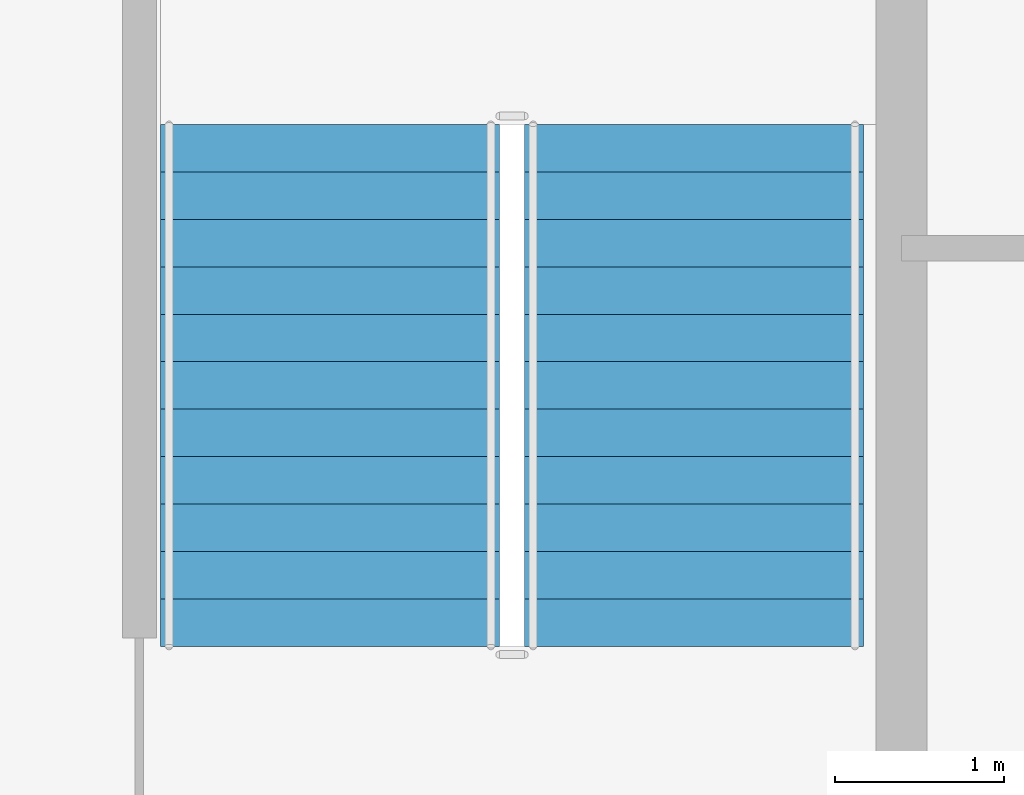
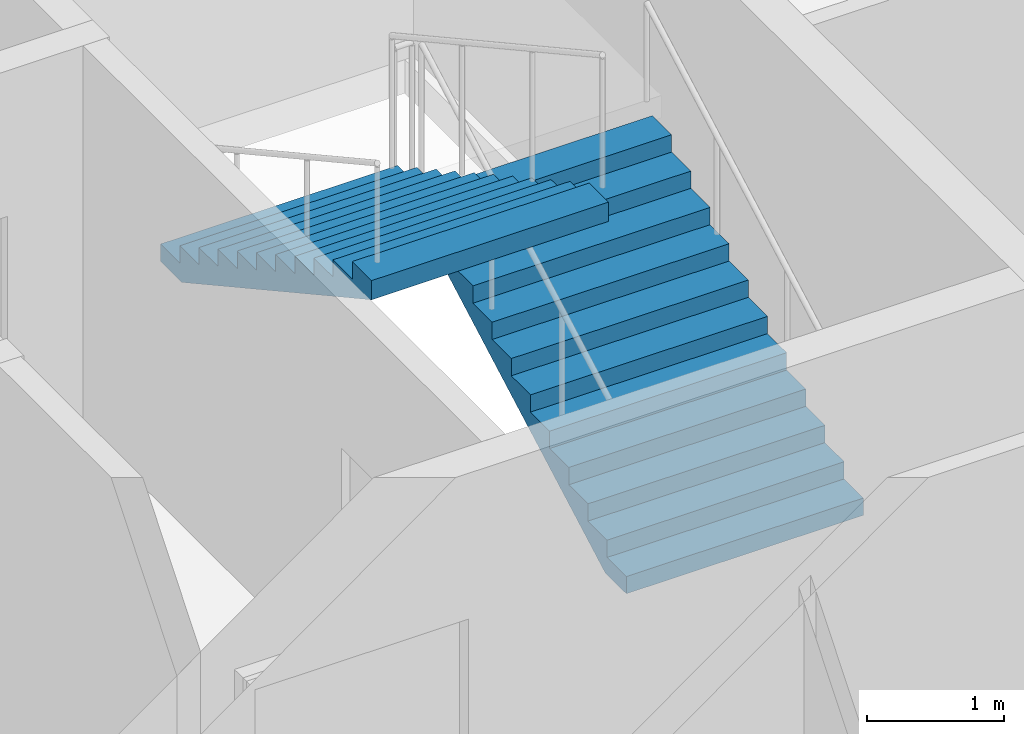
# One storey, part 11 of 13: 2 stair flights, 1 element without a shape of its own.
"""IFC4 building model written with IfcOpenShell, lengths in metres."""

from ifc_helpers import new_model, si_unit, direction, frame, origin, place, context, subcontext, project, spatial, polygons, material, type_object, element, aggregate, save


model = new_model("IFC4")

# Units and contexts
model_context = context("Model", 3, precision=1e-05, world=origin(), true_north=direction((0.0, 1.0)))
body_context = subcontext(model_context, "Body", "Model", "MODEL_VIEW")
ifc_project = project(units=[si_unit("LENGTHUNIT", "METRE"), si_unit("AREAUNIT", "SQUARE_METRE"), si_unit("VOLUMEUNIT", "CUBIC_METRE"), si_unit("PLANEANGLEUNIT", "RADIAN"), si_unit("MASSUNIT", "GRAM", prefix="KILO")], contexts=[model_context])

# Site, building, storey
site_placement = place(None, origin())
site = spatial("IfcSite", under=ifc_project, at=site_placement, CompositionType="ELEMENT")
building_placement = place(site_placement, origin())
building = spatial("IfcBuilding", under=site, at=building_placement, Name="Caravel Reach Hotel and Residences", CompositionType="ELEMENT")
storey_placement = place(building_placement, frame((0.0, 0.0, 158.0)))
storey = spatial("IfcBuildingStorey", under=building, at=storey_placement, Name="L39", CompositionType="ELEMENT", Elevation=158.0)

# Stair, stair flights
ifc_material_1 = material(Name="Concrete C40", Category="concrete")
stair_type = type_object("IfcStairType", Name="Core stair", PredefinedType="HALF_TURN_STAIR", material=ifc_material_1)
stair_placement = place(storey_placement, origin())
stair = element("IfcStair", 1, at=stair_placement, inside=storey, type_object=stair_type, Name="L39 Exit stair B", PredefinedType="HALF_TURN_STAIR")
ifc_material_2 = material(Name="Concrete C40", Category="concrete")
stair_flight_type = type_object("IfcStairFlightType", Name="Core stair flight", PredefinedType="STRAIGHT", material=ifc_material_2)
stair_flight_1_placement = place(storey_placement, frame((43.77490234375, 24.64990234375, 0.0), z_axis=(0.0, 0.0, 1.0), x_axis=(0.0, 1.0, 0.0)))
stair_flight_1 = element("IfcStairFlight", 2, at=stair_flight_1_placement, type_object=stair_flight_type, Name="ST-B flight 1", NumberOfRisers=12, NumberOfTreads=11, PredefinedType="STRAIGHT", RiserHeight=0.154166667, TreadLength=0.28, context=body_context, shape_type="Tessellation", body=[
    polygons([(0.3107950034306102, 1.0, 0.0), (0.3107950034306102, 0.6666666666666667, 0.0), (0.3107950034306102, 0.33333333333333337, 0.0), (0.3107950034306102, 0.0, 0.0), (0.3107950034306102, -0.33333333333333326, 0.0), (0.3107950034306102, -0.6666666666666667, 0.0), (0.3107950034306102, -1.0, 0.0), (3.081, 1.0, 1.524711087717319), (3.081, 0.6666666666666667, 1.524711087717319), (3.081, 0.33333333333333337, 1.524711087717319), (3.081, 0.0, 1.524711087717319), (3.081, -0.33333333333333326, 1.524711087717319), (3.081, -0.6666666666666667, 1.524711087717319), (3.081, -1.0, 1.524711087717319), (3.081, 1.0, 1.695833337), (3.081, 0.6666666666666667, 1.695833337), (3.081, 0.33333333333333337, 1.695833337), (3.081, 0.0, 1.695833337), (3.081, -0.33333333333333326, 1.695833337), (3.081, -0.6666666666666667, 1.695833337), (3.081, -1.0, 1.695833337), (2.8000000000000003, 1.0, 1.695833337), (2.8000000000000003, 0.6666666666666667, 1.695833337), (2.8000000000000003, 0.33333333333333337, 1.695833337), (2.8000000000000003, 0.0, 1.695833337), (2.8000000000000003, -0.33333333333333326, 1.695833337), (2.8000000000000003, -0.6666666666666667, 1.695833337), (2.8000000000000003, -1.0, 1.695833337), (2.8000000000000003, 1.0, 1.5416666700000001), (2.8000000000000003, 0.6666666666666667, 1.5416666700000001), (2.8000000000000003, 0.33333333333333337, 1.5416666700000001), (2.8000000000000003, 0.0, 1.5416666700000001), (2.8000000000000003, -0.33333333333333326, 1.5416666700000001), (2.8000000000000003, -0.6666666666666667, 1.5416666700000001), (2.8000000000000003, -1.0, 1.5416666700000001), (2.5200000000000005, 1.0, 1.5416666700000001), (2.5200000000000005, 0.6666666666666667, 1.5416666700000001), (2.5200000000000005, 0.33333333333333337, 1.5416666700000001), (2.5200000000000005, 0.0, 1.5416666700000001), (2.5200000000000005, -0.33333333333333326, 1.5416666700000001), (2.5200000000000005, -0.6666666666666667, 1.5416666700000001), (2.5200000000000005, -1.0, 1.5416666700000001), (2.5200000000000005, 1.0, 1.387500003), (2.5200000000000005, 0.6666666666666667, 1.387500003), (2.5200000000000005, 0.33333333333333337, 1.387500003), (2.5200000000000005, 0.0, 1.387500003), (2.5200000000000005, -0.33333333333333326, 1.387500003), (2.5200000000000005, -0.6666666666666667, 1.387500003), (2.5200000000000005, -1.0, 1.387500003), (2.24, 1.0, 1.387500003), (2.24, 0.6666666666666667, 1.387500003), (2.24, 0.33333333333333337, 1.387500003), (2.24, 0.0, 1.387500003), (2.24, -0.33333333333333326, 1.387500003), (2.24, -0.6666666666666667, 1.387500003), (2.24, -1.0, 1.387500003), (2.24, 1.0, 1.233333336), (2.24, 0.6666666666666667, 1.233333336), (2.24, 0.33333333333333337, 1.233333336), (2.24, 0.0, 1.233333336), (2.24, -0.33333333333333326, 1.233333336), (2.24, -0.6666666666666667, 1.233333336), (2.24, -1.0, 1.233333336), (1.9600000000000002, 1.0, 1.233333336), (1.9600000000000002, 0.6666666666666667, 1.233333336), (1.9600000000000002, 0.33333333333333337, 1.233333336), (1.9600000000000002, 0.0, 1.233333336), (1.9600000000000002, -0.33333333333333326, 1.233333336), (1.9600000000000002, -0.6666666666666667, 1.233333336), (1.9600000000000002, -1.0, 1.233333336), (1.9600000000000002, 1.0, 1.0791666690000001), (1.9600000000000002, 0.6666666666666667, 1.0791666690000001), (1.9600000000000002, 0.33333333333333337, 1.0791666690000001), (1.9600000000000002, 0.0, 1.0791666690000001), (1.9600000000000002, -0.33333333333333326, 1.0791666690000001), (1.9600000000000002, -0.6666666666666667, 1.0791666690000001), (1.9600000000000002, -1.0, 1.0791666690000001), (1.6800000000000002, 1.0, 1.0791666690000001), (1.6800000000000002, 0.6666666666666667, 1.0791666690000001), (1.6800000000000002, 0.33333333333333337, 1.0791666690000001), (1.6800000000000002, 0.0, 1.0791666690000001), (1.6800000000000002, -0.33333333333333326, 1.0791666690000001), (1.6800000000000002, -0.6666666666666667, 1.0791666690000001), (1.6800000000000002, -1.0, 1.0791666690000001), (1.6800000000000002, 1.0, 0.925000002), (1.6800000000000002, 0.6666666666666667, 0.925000002), (1.6800000000000002, 0.33333333333333337, 0.925000002), (1.6800000000000002, 0.0, 0.925000002), (1.6800000000000002, -0.33333333333333326, 0.925000002), (1.6800000000000002, -0.6666666666666667, 0.925000002), (1.6800000000000002, -1.0, 0.925000002), (1.4000000000000001, 1.0, 0.925000002), (1.4000000000000001, 0.6666666666666667, 0.925000002), (1.4000000000000001, 0.33333333333333337, 0.925000002), (1.4000000000000001, 0.0, 0.925000002), (1.4000000000000001, -0.33333333333333326, 0.925000002), (1.4000000000000001, -0.6666666666666667, 0.925000002), (1.4000000000000001, -1.0, 0.925000002), (1.4000000000000001, 1.0, 0.7708333350000001), (1.4000000000000001, 0.6666666666666667, 0.7708333350000001), (1.4000000000000001, 0.33333333333333337, 0.7708333350000001), (1.4000000000000001, 0.0, 0.7708333350000001), (1.4000000000000001, -0.33333333333333326, 0.7708333350000001), (1.4000000000000001, -0.6666666666666667, 0.7708333350000001), (1.4000000000000001, -1.0, 0.7708333350000001), (1.12, 1.0, 0.7708333350000001), (1.12, 0.6666666666666667, 0.7708333350000001), (1.12, 0.33333333333333337, 0.7708333350000001), (1.12, 0.0, 0.7708333350000001), (1.12, -0.33333333333333326, 0.7708333350000001), (1.12, -0.6666666666666667, 0.7708333350000001), (1.12, -1.0, 0.7708333350000001), (1.12, 1.0, 0.616666668), (1.12, 0.6666666666666667, 0.616666668), (1.12, 0.33333333333333337, 0.616666668), (1.12, 0.0, 0.616666668), (1.12, -0.33333333333333326, 0.616666668), (1.12, -0.6666666666666667, 0.616666668), (1.12, -1.0, 0.616666668), (0.8400000000000001, 1.0, 0.616666668), (0.8400000000000001, 0.6666666666666667, 0.616666668), (0.8400000000000001, 0.33333333333333337, 0.616666668), (0.8400000000000001, 0.0, 0.616666668), (0.8400000000000001, -0.33333333333333326, 0.616666668), (0.8400000000000001, -0.6666666666666667, 0.616666668), (0.8400000000000001, -1.0, 0.616666668), (0.8400000000000001, 1.0, 0.462500001), (0.8400000000000001, 0.6666666666666667, 0.462500001), (0.8400000000000001, 0.33333333333333337, 0.462500001), (0.8400000000000001, 0.0, 0.462500001), (0.8400000000000001, -0.33333333333333326, 0.462500001), (0.8400000000000001, -0.6666666666666667, 0.462500001), (0.8400000000000001, -1.0, 0.462500001), (0.56, 1.0, 0.462500001), (0.56, 0.6666666666666667, 0.462500001), (0.56, 0.33333333333333337, 0.462500001), (0.56, 0.0, 0.462500001), (0.56, -0.33333333333333326, 0.462500001), (0.56, -0.6666666666666667, 0.462500001), (0.56, -1.0, 0.462500001), (0.56, 1.0, 0.308333334), (0.56, 0.6666666666666667, 0.308333334), (0.56, 0.33333333333333337, 0.308333334), (0.56, 0.0, 0.308333334), (0.56, -0.33333333333333326, 0.308333334), (0.56, -0.6666666666666667, 0.308333334), (0.56, -1.0, 0.308333334), (0.28, 1.0, 0.308333334), (0.28, 0.6666666666666667, 0.308333334), (0.28, 0.33333333333333337, 0.308333334), (0.28, 0.0, 0.308333334), (0.28, -0.33333333333333326, 0.308333334), (0.28, -0.6666666666666667, 0.308333334), (0.28, -1.0, 0.308333334), (0.28, 1.0, 0.154166667), (0.28, 0.6666666666666667, 0.154166667), (0.28, 0.33333333333333337, 0.154166667), (0.28, 0.0, 0.154166667), (0.28, -0.33333333333333326, 0.154166667), (0.28, -0.6666666666666667, 0.154166667), (0.28, -1.0, 0.154166667), (-0.001, 1.0, 0.154166667), (-0.001, 0.6666666666666667, 0.154166667), (-0.001, 0.33333333333333337, 0.154166667), (-0.001, 0.0, 0.154166667), (-0.001, -0.33333333333333326, 0.154166667), (-0.001, -0.6666666666666667, 0.154166667), (-0.001, -1.0, 0.154166667), (-0.001, 1.0, 0.0), (-0.001, 0.6666666666666667, 0.0), (-0.001, 0.33333333333333337, 0.0), (-0.001, 0.0, 0.0), (-0.001, -0.33333333333333326, 0.0), (-0.001, -0.6666666666666667, 0.0), (-0.001, -1.0, 0.0)], [[[169, 162, 155, 148, 141, 134, 127, 120, 113, 106, 99, 92, 85, 78, 71, 64, 57, 50, 43, 36, 29, 22, 15, 8, 1]], [[7, 14, 21, 28, 35, 42, 49, 56, 63, 70, 77, 84, 91, 98, 105, 112, 119, 126, 133, 140, 147, 154, 161, 168, 175]], [[1, 8, 9, 2]], [[2, 9, 10, 3]], [[3, 10, 11, 4]], [[4, 11, 12, 5]], [[5, 12, 13, 6]], [[6, 13, 14, 7]], [[8, 15, 16, 9]], [[9, 16, 17, 10]], [[10, 17, 18, 11]], [[11, 18, 19, 12]], [[12, 19, 20, 13]], [[13, 20, 21, 14]], [[15, 22, 23, 16]], [[16, 23, 24, 17]], [[17, 24, 25, 18]], [[18, 25, 26, 19]], [[19, 26, 27, 20]], [[20, 27, 28, 21]], [[22, 29, 30, 23]], [[23, 30, 31, 24]], [[24, 31, 32, 25]], [[25, 32, 33, 26]], [[26, 33, 34, 27]], [[27, 34, 35, 28]], [[29, 36, 37, 30]], [[30, 37, 38, 31]], [[31, 38, 39, 32]], [[32, 39, 40, 33]], [[33, 40, 41, 34]], [[34, 41, 42, 35]], [[36, 43, 44, 37]], [[37, 44, 45, 38]], [[38, 45, 46, 39]], [[39, 46, 47, 40]], [[40, 47, 48, 41]], [[41, 48, 49, 42]], [[43, 50, 51, 44]], [[44, 51, 52, 45]], [[45, 52, 53, 46]], [[46, 53, 54, 47]], [[47, 54, 55, 48]], [[48, 55, 56, 49]], [[50, 57, 58, 51]], [[51, 58, 59, 52]], [[52, 59, 60, 53]], [[53, 60, 61, 54]], [[54, 61, 62, 55]], [[55, 62, 63, 56]], [[57, 64, 65, 58]], [[58, 65, 66, 59]], [[59, 66, 67, 60]], [[60, 67, 68, 61]], [[61, 68, 69, 62]], [[62, 69, 70, 63]], [[64, 71, 72, 65]], [[65, 72, 73, 66]], [[66, 73, 74, 67]], [[67, 74, 75, 68]], [[68, 75, 76, 69]], [[69, 76, 77, 70]], [[71, 78, 79, 72]], [[72, 79, 80, 73]], [[73, 80, 81, 74]], [[74, 81, 82, 75]], [[75, 82, 83, 76]], [[76, 83, 84, 77]], [[78, 85, 86, 79]], [[79, 86, 87, 80]], [[80, 87, 88, 81]], [[81, 88, 89, 82]], [[82, 89, 90, 83]], [[83, 90, 91, 84]], [[85, 92, 93, 86]], [[86, 93, 94, 87]], [[87, 94, 95, 88]], [[88, 95, 96, 89]], [[89, 96, 97, 90]], [[90, 97, 98, 91]], [[92, 99, 100, 93]], [[93, 100, 101, 94]], [[94, 101, 102, 95]], [[95, 102, 103, 96]], [[96, 103, 104, 97]], [[97, 104, 105, 98]], [[99, 106, 107, 100]], [[100, 107, 108, 101]], [[101, 108, 109, 102]], [[102, 109, 110, 103]], [[103, 110, 111, 104]], [[104, 111, 112, 105]], [[106, 113, 114, 107]], [[107, 114, 115, 108]], [[108, 115, 116, 109]], [[109, 116, 117, 110]], [[110, 117, 118, 111]], [[111, 118, 119, 112]], [[113, 120, 121, 114]], [[114, 121, 122, 115]], [[115, 122, 123, 116]], [[116, 123, 124, 117]], [[117, 124, 125, 118]], [[118, 125, 126, 119]], [[120, 127, 128, 121]], [[121, 128, 129, 122]], [[122, 129, 130, 123]], [[123, 130, 131, 124]], [[124, 131, 132, 125]], [[125, 132, 133, 126]], [[127, 134, 135, 128]], [[128, 135, 136, 129]], [[129, 136, 137, 130]], [[130, 137, 138, 131]], [[131, 138, 139, 132]], [[132, 139, 140, 133]], [[134, 141, 142, 135]], [[135, 142, 143, 136]], [[136, 143, 144, 137]], [[137, 144, 145, 138]], [[138, 145, 146, 139]], [[139, 146, 147, 140]], [[141, 148, 149, 142]], [[142, 149, 150, 143]], [[143, 150, 151, 144]], [[144, 151, 152, 145]], [[145, 152, 153, 146]], [[146, 153, 154, 147]], [[148, 155, 156, 149]], [[149, 156, 157, 150]], [[150, 157, 158, 151]], [[151, 158, 159, 152]], [[152, 159, 160, 153]], [[153, 160, 161, 154]], [[155, 162, 163, 156]], [[156, 163, 164, 157]], [[157, 164, 165, 158]], [[158, 165, 166, 159]], [[159, 166, 167, 160]], [[160, 167, 168, 161]], [[162, 169, 170, 163]], [[163, 170, 171, 164]], [[164, 171, 172, 165]], [[165, 172, 173, 166]], [[166, 173, 174, 167]], [[167, 174, 175, 168]], [[169, 1, 2, 170]], [[170, 2, 3, 171]], [[171, 3, 4, 172]], [[172, 4, 5, 173]], [[173, 5, 6, 174]], [[174, 6, 7, 175]]], closed=True),
])
stair_flight_2_placement = place(storey_placement, frame((41.625, 27.72998046875, 1.85009765625), z_axis=(0.0, 0.0, 1.0), x_axis=(0.0, -1.0, 0.0)))
stair_flight_2 = element("IfcStairFlight", 3, at=stair_flight_2_placement, type_object=stair_flight_type, Name="ST-B flight 2", NumberOfRisers=12, NumberOfTreads=11, PredefinedType="STRAIGHT", RiserHeight=0.154166667, TreadLength=0.28, context=body_context, shape_type="Tessellation", body=[
    polygons([(0.3107950034306102, 1.0, 0.0), (0.3107950034306102, 0.6666666666666667, 0.0), (0.3107950034306102, 0.33333333333333337, 0.0), (0.3107950034306102, 0.0, 0.0), (0.3107950034306102, -0.33333333333333326, 0.0), (0.3107950034306102, -0.6666666666666667, 0.0), (0.3107950034306102, -1.0, 0.0), (3.081, 1.0, 1.524711087717319), (3.081, 0.6666666666666667, 1.524711087717319), (3.081, 0.33333333333333337, 1.524711087717319), (3.081, 0.0, 1.524711087717319), (3.081, -0.33333333333333326, 1.524711087717319), (3.081, -0.6666666666666667, 1.524711087717319), (3.081, -1.0, 1.524711087717319), (3.081, 1.0, 1.695833337), (3.081, 0.6666666666666667, 1.695833337), (3.081, 0.33333333333333337, 1.695833337), (3.081, 0.0, 1.695833337), (3.081, -0.33333333333333326, 1.695833337), (3.081, -0.6666666666666667, 1.695833337), (3.081, -1.0, 1.695833337), (2.8000000000000003, 1.0, 1.695833337), (2.8000000000000003, 0.6666666666666667, 1.695833337), (2.8000000000000003, 0.33333333333333337, 1.695833337), (2.8000000000000003, 0.0, 1.695833337), (2.8000000000000003, -0.33333333333333326, 1.695833337), (2.8000000000000003, -0.6666666666666667, 1.695833337), (2.8000000000000003, -1.0, 1.695833337), (2.8000000000000003, 1.0, 1.5416666700000001), (2.8000000000000003, 0.6666666666666667, 1.5416666700000001), (2.8000000000000003, 0.33333333333333337, 1.5416666700000001), (2.8000000000000003, 0.0, 1.5416666700000001), (2.8000000000000003, -0.33333333333333326, 1.5416666700000001), (2.8000000000000003, -0.6666666666666667, 1.5416666700000001), (2.8000000000000003, -1.0, 1.5416666700000001), (2.5200000000000005, 1.0, 1.5416666700000001), (2.5200000000000005, 0.6666666666666667, 1.5416666700000001), (2.5200000000000005, 0.33333333333333337, 1.5416666700000001), (2.5200000000000005, 0.0, 1.5416666700000001), (2.5200000000000005, -0.33333333333333326, 1.5416666700000001), (2.5200000000000005, -0.6666666666666667, 1.5416666700000001), (2.5200000000000005, -1.0, 1.5416666700000001), (2.5200000000000005, 1.0, 1.387500003), (2.5200000000000005, 0.6666666666666667, 1.387500003), (2.5200000000000005, 0.33333333333333337, 1.387500003), (2.5200000000000005, 0.0, 1.387500003), (2.5200000000000005, -0.33333333333333326, 1.387500003), (2.5200000000000005, -0.6666666666666667, 1.387500003), (2.5200000000000005, -1.0, 1.387500003), (2.24, 1.0, 1.387500003), (2.24, 0.6666666666666667, 1.387500003), (2.24, 0.33333333333333337, 1.387500003), (2.24, 0.0, 1.387500003), (2.24, -0.33333333333333326, 1.387500003), (2.24, -0.6666666666666667, 1.387500003), (2.24, -1.0, 1.387500003), (2.24, 1.0, 1.233333336), (2.24, 0.6666666666666667, 1.233333336), (2.24, 0.33333333333333337, 1.233333336), (2.24, 0.0, 1.233333336), (2.24, -0.33333333333333326, 1.233333336), (2.24, -0.6666666666666667, 1.233333336), (2.24, -1.0, 1.233333336), (1.9600000000000002, 1.0, 1.233333336), (1.9600000000000002, 0.6666666666666667, 1.233333336), (1.9600000000000002, 0.33333333333333337, 1.233333336), (1.9600000000000002, 0.0, 1.233333336), (1.9600000000000002, -0.33333333333333326, 1.233333336), (1.9600000000000002, -0.6666666666666667, 1.233333336), (1.9600000000000002, -1.0, 1.233333336), (1.9600000000000002, 1.0, 1.0791666690000001), (1.9600000000000002, 0.6666666666666667, 1.0791666690000001), (1.9600000000000002, 0.33333333333333337, 1.0791666690000001), (1.9600000000000002, 0.0, 1.0791666690000001), (1.9600000000000002, -0.33333333333333326, 1.0791666690000001), (1.9600000000000002, -0.6666666666666667, 1.0791666690000001), (1.9600000000000002, -1.0, 1.0791666690000001), (1.6800000000000002, 1.0, 1.0791666690000001), (1.6800000000000002, 0.6666666666666667, 1.0791666690000001), (1.6800000000000002, 0.33333333333333337, 1.0791666690000001), (1.6800000000000002, 0.0, 1.0791666690000001), (1.6800000000000002, -0.33333333333333326, 1.0791666690000001), (1.6800000000000002, -0.6666666666666667, 1.0791666690000001), (1.6800000000000002, -1.0, 1.0791666690000001), (1.6800000000000002, 1.0, 0.925000002), (1.6800000000000002, 0.6666666666666667, 0.925000002), (1.6800000000000002, 0.33333333333333337, 0.925000002), (1.6800000000000002, 0.0, 0.925000002), (1.6800000000000002, -0.33333333333333326, 0.925000002), (1.6800000000000002, -0.6666666666666667, 0.925000002), (1.6800000000000002, -1.0, 0.925000002), (1.4000000000000001, 1.0, 0.925000002), (1.4000000000000001, 0.6666666666666667, 0.925000002), (1.4000000000000001, 0.33333333333333337, 0.925000002), (1.4000000000000001, 0.0, 0.925000002), (1.4000000000000001, -0.33333333333333326, 0.925000002), (1.4000000000000001, -0.6666666666666667, 0.925000002), (1.4000000000000001, -1.0, 0.925000002), (1.4000000000000001, 1.0, 0.7708333350000001), (1.4000000000000001, 0.6666666666666667, 0.7708333350000001), (1.4000000000000001, 0.33333333333333337, 0.7708333350000001), (1.4000000000000001, 0.0, 0.7708333350000001), (1.4000000000000001, -0.33333333333333326, 0.7708333350000001), (1.4000000000000001, -0.6666666666666667, 0.7708333350000001), (1.4000000000000001, -1.0, 0.7708333350000001), (1.12, 1.0, 0.7708333350000001), (1.12, 0.6666666666666667, 0.7708333350000001), (1.12, 0.33333333333333337, 0.7708333350000001), (1.12, 0.0, 0.7708333350000001), (1.12, -0.33333333333333326, 0.7708333350000001), (1.12, -0.6666666666666667, 0.7708333350000001), (1.12, -1.0, 0.7708333350000001), (1.12, 1.0, 0.616666668), (1.12, 0.6666666666666667, 0.616666668), (1.12, 0.33333333333333337, 0.616666668), (1.12, 0.0, 0.616666668), (1.12, -0.33333333333333326, 0.616666668), (1.12, -0.6666666666666667, 0.616666668), (1.12, -1.0, 0.616666668), (0.8400000000000001, 1.0, 0.616666668), (0.8400000000000001, 0.6666666666666667, 0.616666668), (0.8400000000000001, 0.33333333333333337, 0.616666668), (0.8400000000000001, 0.0, 0.616666668), (0.8400000000000001, -0.33333333333333326, 0.616666668), (0.8400000000000001, -0.6666666666666667, 0.616666668), (0.8400000000000001, -1.0, 0.616666668), (0.8400000000000001, 1.0, 0.462500001), (0.8400000000000001, 0.6666666666666667, 0.462500001), (0.8400000000000001, 0.33333333333333337, 0.462500001), (0.8400000000000001, 0.0, 0.462500001), (0.8400000000000001, -0.33333333333333326, 0.462500001), (0.8400000000000001, -0.6666666666666667, 0.462500001), (0.8400000000000001, -1.0, 0.462500001), (0.56, 1.0, 0.462500001), (0.56, 0.6666666666666667, 0.462500001), (0.56, 0.33333333333333337, 0.462500001), (0.56, 0.0, 0.462500001), (0.56, -0.33333333333333326, 0.462500001), (0.56, -0.6666666666666667, 0.462500001), (0.56, -1.0, 0.462500001), (0.56, 1.0, 0.308333334), (0.56, 0.6666666666666667, 0.308333334), (0.56, 0.33333333333333337, 0.308333334), (0.56, 0.0, 0.308333334), (0.56, -0.33333333333333326, 0.308333334), (0.56, -0.6666666666666667, 0.308333334), (0.56, -1.0, 0.308333334), (0.28, 1.0, 0.308333334), (0.28, 0.6666666666666667, 0.308333334), (0.28, 0.33333333333333337, 0.308333334), (0.28, 0.0, 0.308333334), (0.28, -0.33333333333333326, 0.308333334), (0.28, -0.6666666666666667, 0.308333334), (0.28, -1.0, 0.308333334), (0.28, 1.0, 0.154166667), (0.28, 0.6666666666666667, 0.154166667), (0.28, 0.33333333333333337, 0.154166667), (0.28, 0.0, 0.154166667), (0.28, -0.33333333333333326, 0.154166667), (0.28, -0.6666666666666667, 0.154166667), (0.28, -1.0, 0.154166667), (-0.001, 1.0, 0.154166667), (-0.001, 0.6666666666666667, 0.154166667), (-0.001, 0.33333333333333337, 0.154166667), (-0.001, 0.0, 0.154166667), (-0.001, -0.33333333333333326, 0.154166667), (-0.001, -0.6666666666666667, 0.154166667), (-0.001, -1.0, 0.154166667), (-0.001, 1.0, 0.0), (-0.001, 0.6666666666666667, 0.0), (-0.001, 0.33333333333333337, 0.0), (-0.001, 0.0, 0.0), (-0.001, -0.33333333333333326, 0.0), (-0.001, -0.6666666666666667, 0.0), (-0.001, -1.0, 0.0)], [[[169, 162, 155, 148, 141, 134, 127, 120, 113, 106, 99, 92, 85, 78, 71, 64, 57, 50, 43, 36, 29, 22, 15, 8, 1]], [[7, 14, 21, 28, 35, 42, 49, 56, 63, 70, 77, 84, 91, 98, 105, 112, 119, 126, 133, 140, 147, 154, 161, 168, 175]], [[1, 8, 9, 2]], [[2, 9, 10, 3]], [[3, 10, 11, 4]], [[4, 11, 12, 5]], [[5, 12, 13, 6]], [[6, 13, 14, 7]], [[8, 15, 16, 9]], [[9, 16, 17, 10]], [[10, 17, 18, 11]], [[11, 18, 19, 12]], [[12, 19, 20, 13]], [[13, 20, 21, 14]], [[15, 22, 23, 16]], [[16, 23, 24, 17]], [[17, 24, 25, 18]], [[18, 25, 26, 19]], [[19, 26, 27, 20]], [[20, 27, 28, 21]], [[22, 29, 30, 23]], [[23, 30, 31, 24]], [[24, 31, 32, 25]], [[25, 32, 33, 26]], [[26, 33, 34, 27]], [[27, 34, 35, 28]], [[29, 36, 37, 30]], [[30, 37, 38, 31]], [[31, 38, 39, 32]], [[32, 39, 40, 33]], [[33, 40, 41, 34]], [[34, 41, 42, 35]], [[36, 43, 44, 37]], [[37, 44, 45, 38]], [[38, 45, 46, 39]], [[39, 46, 47, 40]], [[40, 47, 48, 41]], [[41, 48, 49, 42]], [[43, 50, 51, 44]], [[44, 51, 52, 45]], [[45, 52, 53, 46]], [[46, 53, 54, 47]], [[47, 54, 55, 48]], [[48, 55, 56, 49]], [[50, 57, 58, 51]], [[51, 58, 59, 52]], [[52, 59, 60, 53]], [[53, 60, 61, 54]], [[54, 61, 62, 55]], [[55, 62, 63, 56]], [[57, 64, 65, 58]], [[58, 65, 66, 59]], [[59, 66, 67, 60]], [[60, 67, 68, 61]], [[61, 68, 69, 62]], [[62, 69, 70, 63]], [[64, 71, 72, 65]], [[65, 72, 73, 66]], [[66, 73, 74, 67]], [[67, 74, 75, 68]], [[68, 75, 76, 69]], [[69, 76, 77, 70]], [[71, 78, 79, 72]], [[72, 79, 80, 73]], [[73, 80, 81, 74]], [[74, 81, 82, 75]], [[75, 82, 83, 76]], [[76, 83, 84, 77]], [[78, 85, 86, 79]], [[79, 86, 87, 80]], [[80, 87, 88, 81]], [[81, 88, 89, 82]], [[82, 89, 90, 83]], [[83, 90, 91, 84]], [[85, 92, 93, 86]], [[86, 93, 94, 87]], [[87, 94, 95, 88]], [[88, 95, 96, 89]], [[89, 96, 97, 90]], [[90, 97, 98, 91]], [[92, 99, 100, 93]], [[93, 100, 101, 94]], [[94, 101, 102, 95]], [[95, 102, 103, 96]], [[96, 103, 104, 97]], [[97, 104, 105, 98]], [[99, 106, 107, 100]], [[100, 107, 108, 101]], [[101, 108, 109, 102]], [[102, 109, 110, 103]], [[103, 110, 111, 104]], [[104, 111, 112, 105]], [[106, 113, 114, 107]], [[107, 114, 115, 108]], [[108, 115, 116, 109]], [[109, 116, 117, 110]], [[110, 117, 118, 111]], [[111, 118, 119, 112]], [[113, 120, 121, 114]], [[114, 121, 122, 115]], [[115, 122, 123, 116]], [[116, 123, 124, 117]], [[117, 124, 125, 118]], [[118, 125, 126, 119]], [[120, 127, 128, 121]], [[121, 128, 129, 122]], [[122, 129, 130, 123]], [[123, 130, 131, 124]], [[124, 131, 132, 125]], [[125, 132, 133, 126]], [[127, 134, 135, 128]], [[128, 135, 136, 129]], [[129, 136, 137, 130]], [[130, 137, 138, 131]], [[131, 138, 139, 132]], [[132, 139, 140, 133]], [[134, 141, 142, 135]], [[135, 142, 143, 136]], [[136, 143, 144, 137]], [[137, 144, 145, 138]], [[138, 145, 146, 139]], [[139, 146, 147, 140]], [[141, 148, 149, 142]], [[142, 149, 150, 143]], [[143, 150, 151, 144]], [[144, 151, 152, 145]], [[145, 152, 153, 146]], [[146, 153, 154, 147]], [[148, 155, 156, 149]], [[149, 156, 157, 150]], [[150, 157, 158, 151]], [[151, 158, 159, 152]], [[152, 159, 160, 153]], [[153, 160, 161, 154]], [[155, 162, 163, 156]], [[156, 163, 164, 157]], [[157, 164, 165, 158]], [[158, 165, 166, 159]], [[159, 166, 167, 160]], [[160, 167, 168, 161]], [[162, 169, 170, 163]], [[163, 170, 171, 164]], [[164, 171, 172, 165]], [[165, 172, 173, 166]], [[166, 173, 174, 167]], [[167, 174, 175, 168]], [[169, 1, 2, 170]], [[170, 2, 3, 171]], [[171, 3, 4, 172]], [[172, 4, 5, 173]], [[173, 5, 6, 174]], [[174, 6, 7, 175]]], closed=True),
])
aggregate(stair, [stair_flight_1, stair_flight_2])

save(model, "model.ifc")
